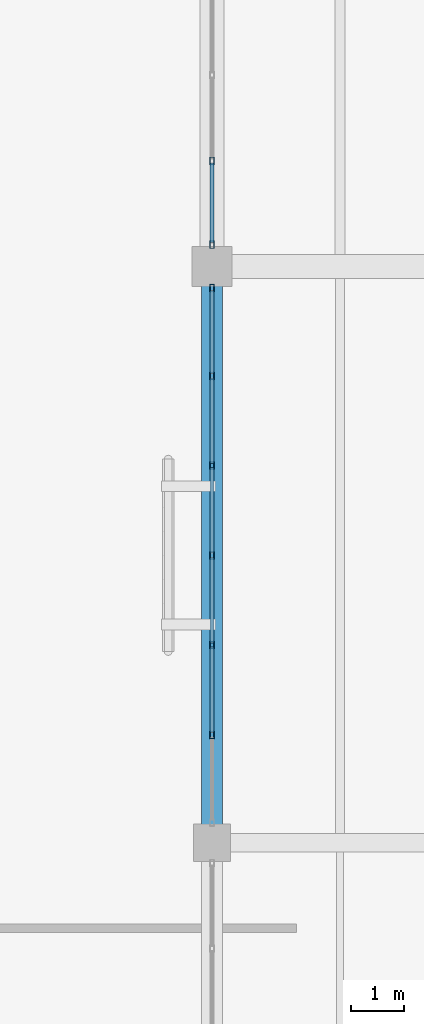
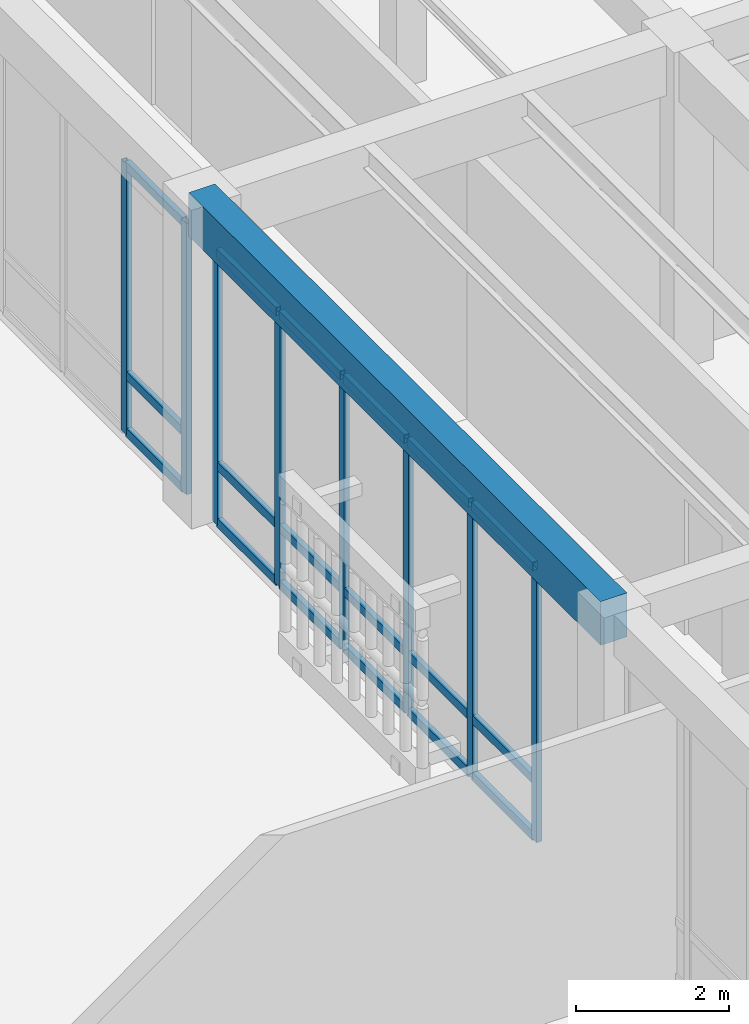
# One storey, part 32 of 169: 26 members, 1 beam, 2 elements without a shape of their own.
"""IFC4 building model written with IfcOpenShell, lengths in metres."""

from ifc_helpers import new_model, si_unit, direction, frame, origin, origin_2d, place, context, subcontext, project, spatial, rectangle, hollow_rectangle, extrude, material, layer, layer_set, material_profile, profile_set, type_object, element, aggregate, save


model = new_model("IFC4")

# Units and contexts
model_context = context("Model", 3, precision=1e-05, world=origin(), true_north=direction((0.0, 1.0)))
body_context = subcontext(model_context, "Body", "Model", "MODEL_VIEW")
ifc_project = project(units=[si_unit("LENGTHUNIT", "METRE"), si_unit("AREAUNIT", "SQUARE_METRE"), si_unit("VOLUMEUNIT", "CUBIC_METRE"), si_unit("PLANEANGLEUNIT", "RADIAN"), si_unit("MASSUNIT", "GRAM", prefix="KILO")], contexts=[model_context])

# Site, building, storey
site_placement = place(None, origin())
site = spatial("IfcSite", under=ifc_project, at=site_placement, CompositionType="ELEMENT")
building_placement = place(site_placement, origin())
building = spatial("IfcBuilding", under=site, at=building_placement, Name="Mazaris Harbour Polytechnic", CompositionType="ELEMENT")
storey_placement = place(building_placement, origin())
storey = spatial("IfcBuildingStorey", under=building, at=storey_placement, Name="L00", CompositionType="ELEMENT", Elevation=0.0)

# Curtain wall, members
ifc_material_1 = material(Name="Anodised Bronze Aluminium and Low-E Glass", Category="aluminium")
ifc_layer = layer(ifc_material_1, 0.159912109375, Name="Anodised Bronze Aluminium and Low-E Glass")
ifc_layer_set = layer_set([ifc_layer], Name="Anodised Bronze Aluminium and Low-E Glass")
curtain_wall_type = type_object("IfcCurtainWallType", Name="Cloister Court Curtain Wall", PredefinedType="NOTDEFINED", material=ifc_layer_set)
curtain_wall_1_placement = place(storey_placement, origin())
curtain_wall_1 = element("IfcCurtainWall", 1, at=curtain_wall_1_placement, inside=storey, type_object=curtain_wall_type, Name="V4 L00 Curtain Wall 108", PredefinedType="NOTDEFINED")
ifc_material_2 = material(Name="Anodised Bronze Steel S355", Category="steel")
ifc_material_profile_1 = material_profile(ifc_material_2, hollow_rectangle(XDim=0.080078125, YDim=0.139892578125, WallThickness=0.00634765625, at=origin_2d()), Name="RHS 80x140x6.3")
ifc_profile_set_1 = profile_set([ifc_material_profile_1], Name="Anodised Bronze Steel S355")
member_type_1 = type_object("IfcMemberType", Name="Curtain Mullion RHS80x140", PredefinedType="MULLION", material=ifc_profile_set_1)
member_1_placement = place(storey_placement, frame((28.800048828125, 53.593017578125, 0.0), z_axis=(0.0, 0.0, 1.0), x_axis=(1.0, 0.0, 0.0)))
member_1 = element("IfcMember", 2, at=member_1_placement, type_object=member_type_1, Name="CW-02 mullion 1", PredefinedType="MULLION", context=body_context, shape_type="SweptSolid", body=[
    extrude(hollow_rectangle(XDim=0.080078125, YDim=0.139892578125, WallThickness=0.00634765625, at=origin_2d()), origin(), (0.0, 0.0, 1.0), 4.389892578125),
])
member_2_placement = place(storey_placement, frame((28.800048828125, 51.951171875, 0.0), z_axis=(0.0, 0.0, 1.0), x_axis=(1.0, 0.0, 0.0)))
member_2 = element("IfcMember", 3, at=member_2_placement, type_object=member_type_1, Name="CW-02 mullion 2", PredefinedType="MULLION", context=body_context, shape_type="SweptSolid", body=[
    extrude(hollow_rectangle(XDim=0.080078125, YDim=0.139892578125, WallThickness=0.00634765625, at=origin_2d()), origin(), (0.0, 0.0, 1.0), 4.389892578125),
])
member_3_placement = place(storey_placement, frame((28.800048828125, 50.269287109375, 0.0), z_axis=(0.0, 0.0, 1.0), x_axis=(1.0, 0.0, 0.0)))
member_3 = element("IfcMember", 4, at=member_3_placement, type_object=member_type_1, Name="CW-02 mullion 3", PredefinedType="MULLION", context=body_context, shape_type="SweptSolid", body=[
    extrude(hollow_rectangle(XDim=0.080078125, YDim=0.139892578125, WallThickness=0.00634765625, at=origin_2d()), origin(), (0.0, 0.0, 1.0), 4.389892578125),
])
member_4_placement = place(storey_placement, frame((28.800048828125, 48.58740234375, 0.0), z_axis=(0.0, 0.0, 1.0), x_axis=(1.0, 0.0, 0.0)))
member_4 = element("IfcMember", 5, at=member_4_placement, type_object=member_type_1, Name="CW-02 mullion 4", PredefinedType="MULLION", context=body_context, shape_type="SweptSolid", body=[
    extrude(hollow_rectangle(XDim=0.080078125, YDim=0.139892578125, WallThickness=0.00634765625, at=origin_2d()), origin(), (0.0, 0.0, 1.0), 4.389892578125),
])
member_5_placement = place(storey_placement, frame((28.800048828125, 46.90576171875, 0.0), z_axis=(0.0, 0.0, 1.0), x_axis=(1.0, 0.0, 0.0)))
member_5 = element("IfcMember", 6, at=member_5_placement, type_object=member_type_1, Name="CW-02 mullion 5", PredefinedType="MULLION", context=body_context, shape_type="SweptSolid", body=[
    extrude(hollow_rectangle(XDim=0.080078125, YDim=0.139892578125, WallThickness=0.00634765625, at=origin_2d()), origin(), (0.0, 0.0, 1.0), 4.389892578125),
])
member_6_placement = place(storey_placement, frame((28.800048828125, 45.223876953125, 0.0), z_axis=(0.0, 0.0, 1.0), x_axis=(1.0, 0.0, 0.0)))
member_6 = element("IfcMember", 7, at=member_6_placement, type_object=member_type_1, Name="CW-02 mullion 6", PredefinedType="MULLION", context=body_context, shape_type="SweptSolid", body=[
    extrude(hollow_rectangle(XDim=0.080078125, YDim=0.139892578125, WallThickness=0.00634765625, at=origin_2d()), origin(), (0.0, 0.0, 1.0), 4.389892578125),
])

curtain_wall_2_placement = place(storey_placement, origin())
curtain_wall_2 = element("IfcCurtainWall", 8, at=curtain_wall_2_placement, inside=storey, type_object=curtain_wall_type, Name="V4 L00 Curtain Wall 109", PredefinedType="NOTDEFINED")
member_7_placement = place(storey_placement, frame((28.800048828125, 55.977294921875, 0.0), z_axis=(0.0, 0.0, 1.0), x_axis=(1.0, 0.0, 0.0)))
member_7 = element("IfcMember", 9, at=member_7_placement, type_object=member_type_1, Name="CW-02 mullion 4", PredefinedType="MULLION", context=body_context, shape_type="SweptSolid", body=[
    extrude(hollow_rectangle(XDim=0.080078125, YDim=0.139892578125, WallThickness=0.00634765625, at=origin_2d()), origin(), (0.0, 0.0, 1.0), 4.340087890625),
])
member_8_placement = place(storey_placement, frame((28.800048828125, 54.406982421875, 0.0), z_axis=(0.0, 0.0, 1.0), x_axis=(1.0, 0.0, 0.0)))
member_8 = element("IfcMember", 10, at=member_8_placement, type_object=member_type_1, Name="CW-02 mullion 5", PredefinedType="MULLION", context=body_context, shape_type="SweptSolid", body=[
    extrude(hollow_rectangle(XDim=0.080078125, YDim=0.139892578125, WallThickness=0.00634765625, at=origin_2d()), origin(), (0.0, 0.0, 1.0), 4.340087890625),
])

# Member
ifc_material_3 = material(Name="Anodised Bronze Steel S355", Category="steel")
ifc_material_profile_2 = material_profile(ifc_material_3, hollow_rectangle(XDim=0.080078125, YDim=0.139892578125, WallThickness=0.00634765625, at=origin_2d()), Name="RHS 80x140x6.3")
ifc_profile_set_2 = profile_set([ifc_material_profile_2], Name="Anodised Bronze Steel S355")
member_type_2 = type_object("IfcMemberType", Name="Curtain Transom RHS80x140", PredefinedType="USERDEFINED", material=ifc_profile_set_2)
member_9_placement = place(storey_placement, frame((28.800048828125, 53.552978515625, 0.0400390625), z_axis=(0.0, -1.0, 0.0), x_axis=(1.0, 0.0, 0.0)))
member_9 = element("IfcMember", 11, at=member_9_placement, type_object=member_type_2, Name="CW-02 transom 1.1", ObjectType="TRANSOM", PredefinedType="USERDEFINED", context=body_context, shape_type="SweptSolid", body=[
    extrude(hollow_rectangle(XDim=0.080078125, YDim=0.139892578125, WallThickness=0.00634765625, at=origin_2d()), origin(), (0.0, 0.0, 1.0), 1.561767578125),
])

member_10_placement = place(storey_placement, frame((28.800048828125, 53.552978515625, 0.949951171875), z_axis=(0.0, -1.0, 0.0), x_axis=(1.0, 0.0, 0.0)))
member_10 = element("IfcMember", 12, at=member_10_placement, type_object=member_type_2, Name="CW-02 transom 1.2", ObjectType="TRANSOM", PredefinedType="USERDEFINED", context=body_context, shape_type="SweptSolid", body=[
    extrude(hollow_rectangle(XDim=0.080078125, YDim=0.139892578125, WallThickness=0.00634765625, at=origin_2d()), origin(), (0.0, 0.0, 1.0), 1.561767578125),
])

member_11_placement = place(storey_placement, frame((28.800048828125, 53.552978515625, 4.35009765625), z_axis=(0.0, -1.0, 0.0), x_axis=(1.0, 0.0, 0.0)))
member_11 = element("IfcMember", 13, at=member_11_placement, type_object=member_type_2, Name="CW-02 transom 1.3", ObjectType="TRANSOM", PredefinedType="USERDEFINED", context=body_context, shape_type="SweptSolid", body=[
    extrude(hollow_rectangle(XDim=0.080078125, YDim=0.139892578125, WallThickness=0.00634765625, at=origin_2d()), origin(), (0.0, 0.0, 1.0), 1.561767578125),
])

member_12_placement = place(storey_placement, frame((28.800048828125, 51.9111328125, 0.0400390625), z_axis=(0.0, -1.0, 0.0), x_axis=(1.0, 0.0, 0.0)))
member_12 = element("IfcMember", 14, at=member_12_placement, type_object=member_type_2, Name="CW-02 transom 2.1", ObjectType="TRANSOM", PredefinedType="USERDEFINED", context=body_context, shape_type="SweptSolid", body=[
    extrude(hollow_rectangle(XDim=0.080078125, YDim=0.139892578125, WallThickness=0.00634765625, at=origin_2d()), origin(), (0.0, 0.0, 1.0), 1.601806640625),
])

member_13_placement = place(storey_placement, frame((28.800048828125, 51.9111328125, 0.949951171875), z_axis=(0.0, -1.0, 0.0), x_axis=(1.0, 0.0, 0.0)))
member_13 = element("IfcMember", 15, at=member_13_placement, type_object=member_type_2, Name="CW-02 transom 2.2", ObjectType="TRANSOM", PredefinedType="USERDEFINED", context=body_context, shape_type="SweptSolid", body=[
    extrude(hollow_rectangle(XDim=0.080078125, YDim=0.139892578125, WallThickness=0.00634765625, at=origin_2d()), origin(), (0.0, 0.0, 1.0), 1.601806640625),
])

member_14_placement = place(storey_placement, frame((28.800048828125, 51.9111328125, 4.35009765625), z_axis=(0.0, -1.0, 0.0), x_axis=(1.0, 0.0, 0.0)))
member_14 = element("IfcMember", 16, at=member_14_placement, type_object=member_type_2, Name="CW-02 transom 2.3", ObjectType="TRANSOM", PredefinedType="USERDEFINED", context=body_context, shape_type="SweptSolid", body=[
    extrude(hollow_rectangle(XDim=0.080078125, YDim=0.139892578125, WallThickness=0.00634765625, at=origin_2d()), origin(), (0.0, 0.0, 1.0), 1.601806640625),
])

member_15_placement = place(storey_placement, frame((28.800048828125, 50.229248046875, 0.0400390625), z_axis=(0.0, -1.0, 0.0), x_axis=(1.0, 0.0, 0.0)))
member_15 = element("IfcMember", 17, at=member_15_placement, type_object=member_type_2, Name="CW-02 transom 3.1", ObjectType="TRANSOM", PredefinedType="USERDEFINED", context=body_context, shape_type="SweptSolid", body=[
    extrude(hollow_rectangle(XDim=0.080078125, YDim=0.139892578125, WallThickness=0.00634765625, at=origin_2d()), origin(), (0.0, 0.0, 1.0), 1.601806640625),
])

member_16_placement = place(storey_placement, frame((28.800048828125, 50.229248046875, 0.949951171875), z_axis=(0.0, -1.0, 0.0), x_axis=(1.0, 0.0, 0.0)))
member_16 = element("IfcMember", 18, at=member_16_placement, type_object=member_type_2, Name="CW-02 transom 3.2", ObjectType="TRANSOM", PredefinedType="USERDEFINED", context=body_context, shape_type="SweptSolid", body=[
    extrude(hollow_rectangle(XDim=0.080078125, YDim=0.139892578125, WallThickness=0.00634765625, at=origin_2d()), origin(), (0.0, 0.0, 1.0), 1.601806640625),
])

member_17_placement = place(storey_placement, frame((28.800048828125, 50.229248046875, 4.35009765625), z_axis=(0.0, -1.0, 0.0), x_axis=(1.0, 0.0, 0.0)))
member_17 = element("IfcMember", 19, at=member_17_placement, type_object=member_type_2, Name="CW-02 transom 3.3", ObjectType="TRANSOM", PredefinedType="USERDEFINED", context=body_context, shape_type="SweptSolid", body=[
    extrude(hollow_rectangle(XDim=0.080078125, YDim=0.139892578125, WallThickness=0.00634765625, at=origin_2d()), origin(), (0.0, 0.0, 1.0), 1.601806640625),
])

member_18_placement = place(storey_placement, frame((28.800048828125, 48.547607421875, 0.0400390625), z_axis=(0.0, -1.0, 0.0), x_axis=(1.0, 0.0, 0.0)))
member_18 = element("IfcMember", 20, at=member_18_placement, type_object=member_type_2, Name="CW-02 transom 4.1", ObjectType="TRANSOM", PredefinedType="USERDEFINED", context=body_context, shape_type="SweptSolid", body=[
    extrude(hollow_rectangle(XDim=0.080078125, YDim=0.139892578125, WallThickness=0.00634765625, at=origin_2d()), origin(), (0.0, 0.0, 1.0), 1.60205078125),
])

member_19_placement = place(storey_placement, frame((28.800048828125, 48.547607421875, 0.949951171875), z_axis=(0.0, -1.0, 0.0), x_axis=(1.0, 0.0, 0.0)))
member_19 = element("IfcMember", 21, at=member_19_placement, type_object=member_type_2, Name="CW-02 transom 4.2", ObjectType="TRANSOM", PredefinedType="USERDEFINED", context=body_context, shape_type="SweptSolid", body=[
    extrude(hollow_rectangle(XDim=0.080078125, YDim=0.139892578125, WallThickness=0.00634765625, at=origin_2d()), origin(), (0.0, 0.0, 1.0), 1.60205078125),
])

member_20_placement = place(storey_placement, frame((28.800048828125, 48.547607421875, 4.35009765625), z_axis=(0.0, -1.0, 0.0), x_axis=(1.0, 0.0, 0.0)))
member_20 = element("IfcMember", 22, at=member_20_placement, type_object=member_type_2, Name="CW-02 transom 4.3", ObjectType="TRANSOM", PredefinedType="USERDEFINED", context=body_context, shape_type="SweptSolid", body=[
    extrude(hollow_rectangle(XDim=0.080078125, YDim=0.139892578125, WallThickness=0.00634765625, at=origin_2d()), origin(), (0.0, 0.0, 1.0), 1.60205078125),
])

member_21_placement = place(storey_placement, frame((28.800048828125, 46.86572265625, 0.0400390625), z_axis=(0.0, -1.0, 0.0), x_axis=(1.0, 0.0, 0.0)))
member_21 = element("IfcMember", 23, at=member_21_placement, type_object=member_type_2, Name="CW-02 transom 5.1", ObjectType="TRANSOM", PredefinedType="USERDEFINED", context=body_context, shape_type="SweptSolid", body=[
    extrude(hollow_rectangle(XDim=0.080078125, YDim=0.139892578125, WallThickness=0.00634765625, at=origin_2d()), origin(), (0.0, 0.0, 1.0), 1.601806640625),
])

member_22_placement = place(storey_placement, frame((28.800048828125, 46.86572265625, 0.949951171875), z_axis=(0.0, -1.0, 0.0), x_axis=(1.0, 0.0, 0.0)))
member_22 = element("IfcMember", 24, at=member_22_placement, type_object=member_type_2, Name="CW-02 transom 5.2", ObjectType="TRANSOM", PredefinedType="USERDEFINED", context=body_context, shape_type="SweptSolid", body=[
    extrude(hollow_rectangle(XDim=0.080078125, YDim=0.139892578125, WallThickness=0.00634765625, at=origin_2d()), origin(), (0.0, 0.0, 1.0), 1.601806640625),
])

member_23_placement = place(storey_placement, frame((28.800048828125, 46.86572265625, 4.35009765625), z_axis=(0.0, -1.0, 0.0), x_axis=(1.0, 0.0, 0.0)))
member_23 = element("IfcMember", 25, at=member_23_placement, type_object=member_type_2, Name="CW-02 transom 5.3", ObjectType="TRANSOM", PredefinedType="USERDEFINED", context=body_context, shape_type="SweptSolid", body=[
    extrude(hollow_rectangle(XDim=0.080078125, YDim=0.139892578125, WallThickness=0.00634765625, at=origin_2d()), origin(), (0.0, 0.0, 1.0), 1.601806640625),
])

aggregate(curtain_wall_1, [member_1, member_2, member_3, member_4, member_5, member_6, member_9, member_10, member_11, member_12, member_13, member_14, member_15, member_16, member_17, member_18, member_19, member_20, member_21, member_22, member_23])

member_24_placement = place(storey_placement, frame((28.800048828125, 55.937255859375, 0.0400390625), z_axis=(0.0, -1.0, 0.0), x_axis=(1.0, 0.0, 0.0)))
member_24 = element("IfcMember", 26, at=member_24_placement, type_object=member_type_2, Name="CW-02 transom 4.1", ObjectType="TRANSOM", PredefinedType="USERDEFINED", context=body_context, shape_type="SweptSolid", body=[
    extrude(hollow_rectangle(XDim=0.080078125, YDim=0.139892578125, WallThickness=0.00634765625, at=origin_2d()), origin(), (0.0, 0.0, 1.0), 1.490234375),
])

member_25_placement = place(storey_placement, frame((28.800048828125, 55.937255859375, 0.949951171875), z_axis=(0.0, -1.0, 0.0), x_axis=(1.0, 0.0, 0.0)))
member_25 = element("IfcMember", 27, at=member_25_placement, type_object=member_type_2, Name="CW-02 transom 4.2", ObjectType="TRANSOM", PredefinedType="USERDEFINED", context=body_context, shape_type="SweptSolid", body=[
    extrude(hollow_rectangle(XDim=0.080078125, YDim=0.139892578125, WallThickness=0.00634765625, at=origin_2d()), origin(), (0.0, 0.0, 1.0), 1.490234375),
])

member_26_placement = place(storey_placement, frame((28.800048828125, 55.937255859375, 4.300048828125), z_axis=(0.0, -1.0, 0.0), x_axis=(1.0, 0.0, 0.0)))
member_26 = element("IfcMember", 28, at=member_26_placement, type_object=member_type_2, Name="CW-02 transom 4.3", ObjectType="TRANSOM", PredefinedType="USERDEFINED", context=body_context, shape_type="SweptSolid", body=[
    extrude(hollow_rectangle(XDim=0.080078125, YDim=0.139892578125, WallThickness=0.00634765625, at=origin_2d()), origin(), (0.0, 0.0, 1.0), 1.490234375),
])

aggregate(curtain_wall_2, [member_7, member_8, member_24, member_25, member_26])

# Beam
ifc_material_4 = material(Name="Concrete C35/45", Category="concrete")
ifc_material_profile_3 = material_profile(ifc_material_4, rectangle(XDim=0.39990234375, YDim=0.699951171875, at=origin_2d()), Name="RECT400x700")
ifc_profile_set_3 = profile_set([ifc_material_profile_3], Name="Concrete C35/45")
beam_type = type_object("IfcBeamType", Name="RC Girder 400x700", PredefinedType="BEAM", material=ifc_profile_set_3)
beam_placement = place(storey_placement, frame((28.800048828125, 43.199951171875, 4.75), z_axis=(0.0, 1.0, 0.0), x_axis=(-1.0, 0.0, 0.0)))
element("IfcBeam", 29, at=beam_placement, inside=storey, type_object=beam_type, Name="V4 L00 Tie Girder 1472", PredefinedType="BEAM", context=body_context, shape_type="SweptSolid", body=[
    extrude(rectangle(XDim=0.39990234375, YDim=0.699951171875, at=origin_2d()), origin(), (0.0, 0.0, 1.0), 10.800048828125),
])

save(model, "model.ifc")
